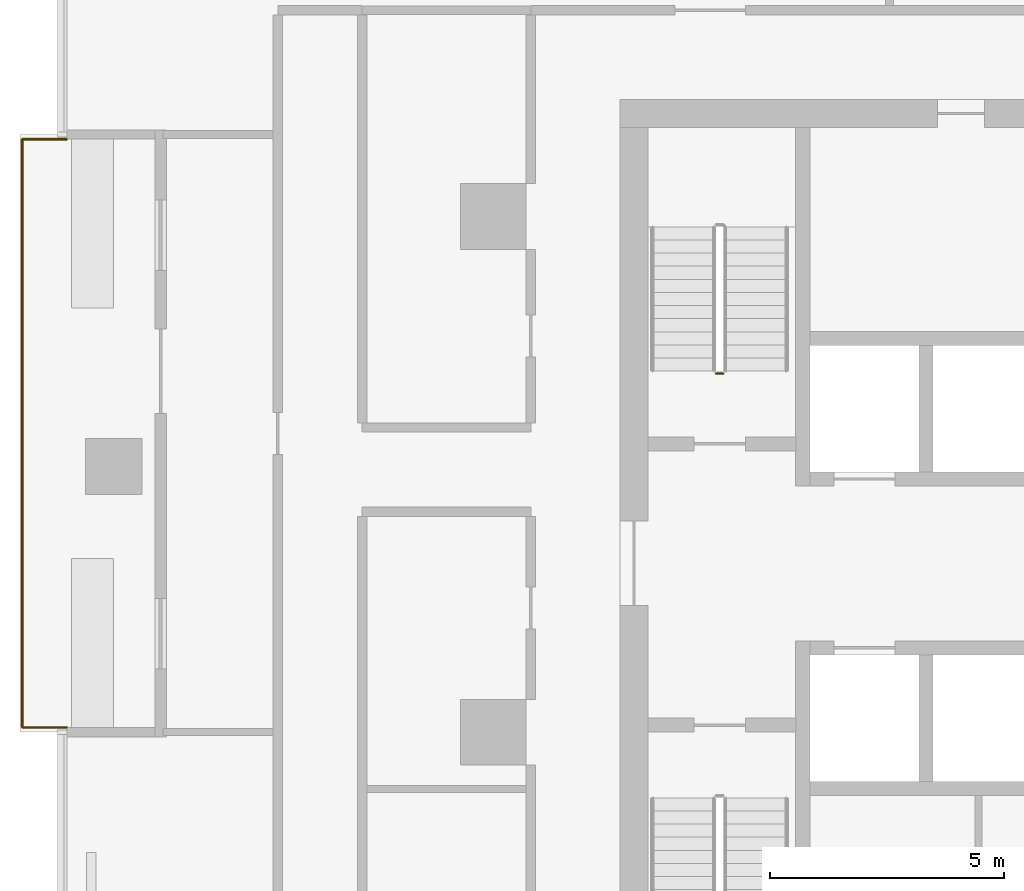
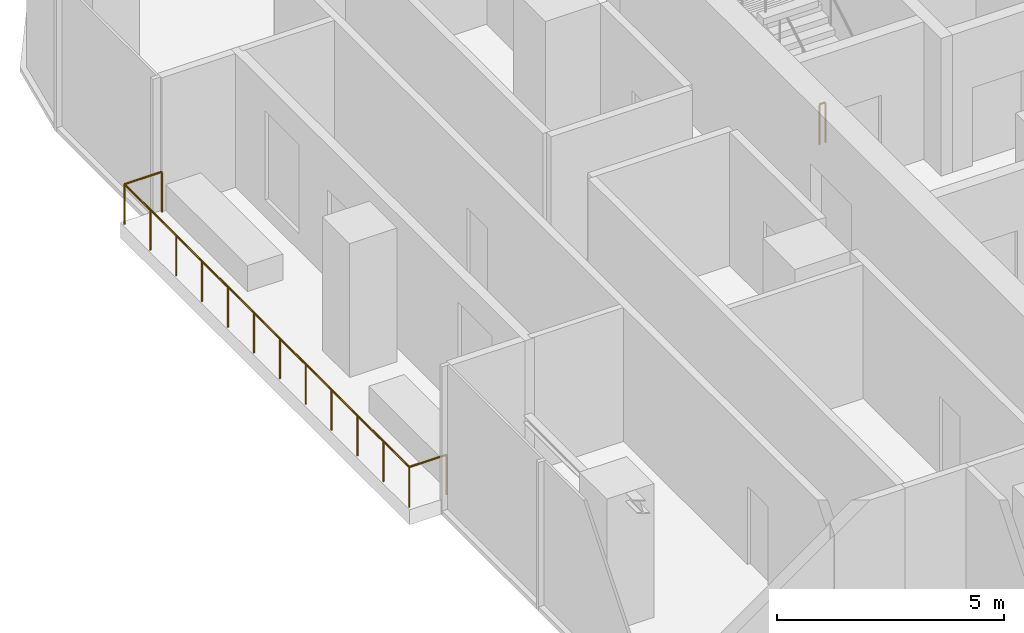
# One storey, part 13 of 15: 2 railings.
"""IFC4 building model written with IfcOpenShell, lengths in metres."""

from ifc_helpers import new_model, si_unit, direction, frame, origin, origin_2d, place, context, subcontext, project, spatial, circle, extrude, material, type_object, element, save


model = new_model("IFC4")

# Units and contexts
model_context = context("Model", 3, precision=1e-05, world=origin(), true_north=direction((0.0, 1.0)))
body_context = subcontext(model_context, "Body", "Model", "MODEL_VIEW")
ifc_project = project(units=[si_unit("LENGTHUNIT", "METRE"), si_unit("AREAUNIT", "SQUARE_METRE"), si_unit("VOLUMEUNIT", "CUBIC_METRE"), si_unit("PLANEANGLEUNIT", "RADIAN"), si_unit("MASSUNIT", "GRAM", prefix="KILO")], contexts=[model_context])

# Site, building, storey
site_placement = place(None, origin())
site = spatial("IfcSite", under=ifc_project, at=site_placement, CompositionType="ELEMENT")
building_placement = place(site_placement, origin())
building = spatial("IfcBuilding", under=site, at=building_placement, Name="Mopane Tessera Tower", CompositionType="ELEMENT")
storey_placement = place(building_placement, frame((0.0, 0.0, 177.0)))
storey = spatial("IfcBuildingStorey", under=building, at=storey_placement, Name="L36", CompositionType="ELEMENT", Elevation=177.0)

# Railings
ifc_material_1 = material(Name="Powder-coated steel balustrade", Category="steel")
railing_type_1 = type_object("IfcRailingType", Name="Escape stair guard 1100 mm", PredefinedType="GUARDRAIL", material=ifc_material_1)
railing_1_placement = place(storey_placement, frame((-12.199951171875, 7.64990234375, 0.0)))
element("IfcRailing", 1, at=railing_1_placement, inside=storey, type_object=railing_type_1, Name="L36 ST2 stair guard 3", PredefinedType="GUARDRAIL", context=body_context, shape_type="SweptSolid", body=[
    extrude(circle(Radius=0.02392578125, at=origin_2d()), frame((0.0, 0.0, 1.076171875), z_axis=(-1.0, 0.0, 0.0), x_axis=(0.0, -1.0, 0.0)), (0.0, 0.0, 1.0), 0.150146484375),
    extrude(circle(Radius=0.02099609375, at=origin_2d()), origin(), (0.0, 0.0, 1.0), 1.052001953125),
    extrude(circle(Radius=0.02099609375, at=origin_2d()), frame((-0.150146484375, 0.0, 0.0)), (0.0, 0.0, 1.0), 1.052001953125),
])
ifc_material_2 = material(Name="Stainless steel S316", Category="steel")
railing_type_2 = type_object("IfcRailingType", Name="Terrace guard 1100", PredefinedType="GUARDRAIL", material=ifc_material_2)
railing_2_placement = place(storey_placement, frame((-26.199951171875, 12.64990234375, 0.0)))
element("IfcRailing", 2, at=railing_2_placement, inside=storey, type_object=railing_type_2, Name="e:nw:L36:N1:guard", PredefinedType="GUARDRAIL", context=body_context, shape_type="SweptSolid", body=[
    extrude(circle(Radius=0.02392578125, at=origin_2d()), frame((0.0, 0.0, 1.076171875), z_axis=(-1.0, 0.0, 0.0), x_axis=(0.0, -1.0, 0.0)), (0.0, 0.0, 1.0), 0.949951171875),
    extrude(circle(Radius=0.02392578125, at=origin_2d()), frame((-0.949951171875, 0.0, 1.076171875), z_axis=(0.0, -1.0, 0.0), x_axis=(1.0, 0.0, 0.0)), (0.0, 0.0, 1.0), 12.5498046875),
    extrude(circle(Radius=0.02392578125, at=origin_2d()), frame((-0.949951171875, -12.5498046875, 1.076171875), z_axis=(1.0, 0.0, 0.0), x_axis=(0.0, 1.0, 0.0)), (0.0, 0.0, 1.0), 0.949951171875),
    extrude(circle(Radius=0.02099609375, at=origin_2d()), origin(), (0.0, 0.0, 1.0), 1.052001953125),
    extrude(circle(Radius=0.02099609375, at=origin_2d()), frame((-0.949951171875, 0.0, 0.0)), (0.0, 0.0, 1.0), 1.052001953125),
    extrude(circle(Radius=0.02099609375, at=origin_2d()), frame((-0.949951171875, -1.140869140625, 0.0)), (0.0, 0.0, 1.0), 1.052001953125),
    extrude(circle(Radius=0.02099609375, at=origin_2d()), frame((-0.949951171875, -2.28173828125, 0.0)), (0.0, 0.0, 1.0), 1.052001953125),
    extrude(circle(Radius=0.02099609375, at=origin_2d()), frame((-0.949951171875, -3.422607421875, 0.0)), (0.0, 0.0, 1.0), 1.052001953125),
    extrude(circle(Radius=0.02099609375, at=origin_2d()), frame((-0.949951171875, -4.5634765625, 0.0)), (0.0, 0.0, 1.0), 1.052001953125),
    extrude(circle(Radius=0.02099609375, at=origin_2d()), frame((-0.949951171875, -5.704345703125, 0.0)), (0.0, 0.0, 1.0), 1.052001953125),
    extrude(circle(Radius=0.02099609375, at=origin_2d()), frame((-0.949951171875, -6.845458984375, 0.0)), (0.0, 0.0, 1.0), 1.052001953125),
    extrude(circle(Radius=0.02099609375, at=origin_2d()), frame((-0.949951171875, -7.986328125, 0.0)), (0.0, 0.0, 1.0), 1.052001953125),
    extrude(circle(Radius=0.02099609375, at=origin_2d()), frame((-0.949951171875, -9.127197265625, 0.0)), (0.0, 0.0, 1.0), 1.052001953125),
    extrude(circle(Radius=0.02099609375, at=origin_2d()), frame((-0.949951171875, -10.26806640625, 0.0)), (0.0, 0.0, 1.0), 1.052001953125),
    extrude(circle(Radius=0.02099609375, at=origin_2d()), frame((-0.949951171875, -11.408935546875, 0.0)), (0.0, 0.0, 1.0), 1.052001953125),
    extrude(circle(Radius=0.02099609375, at=origin_2d()), frame((-0.949951171875, -12.5498046875, 0.0)), (0.0, 0.0, 1.0), 1.052001953125),
    extrude(circle(Radius=0.02099609375, at=origin_2d()), frame((0.0, -12.5498046875, 0.0)), (0.0, 0.0, 1.0), 1.052001953125),
])

save(model, "model.ifc")
